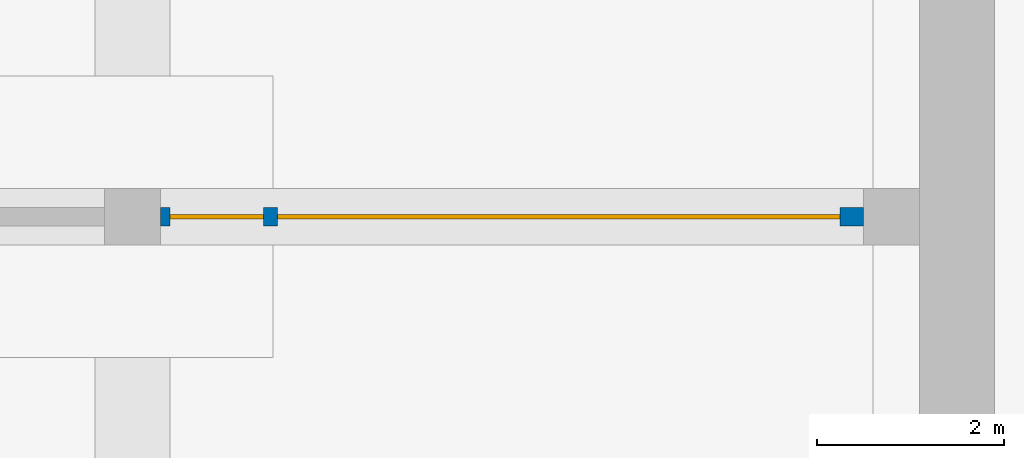
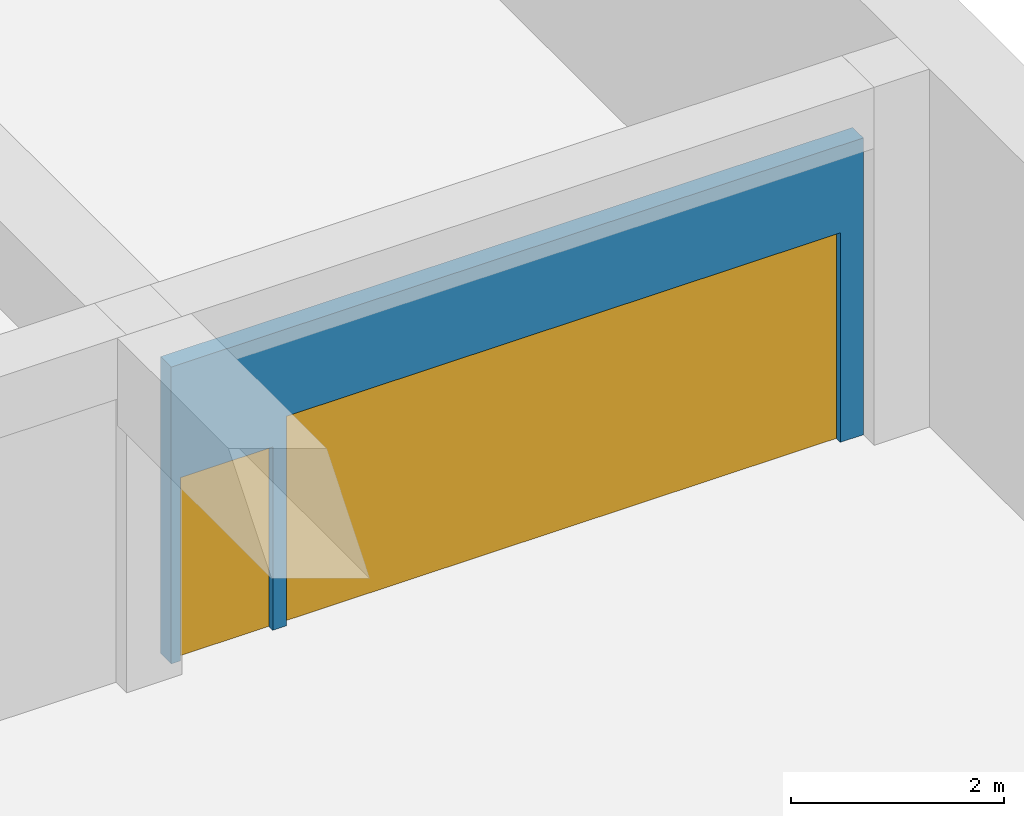
# One storey, part 8 of 25: 2 doors, 1 wall, 2 openings.
"""IFC4 building model written with IfcOpenShell, lengths in metres."""

from ifc_helpers import new_model, si_unit, direction, frame, frame_2d, origin, place, context, subcontext, project, spatial, rectangle, extrude, material, layer, layer_set, type_object, element, fill, save


model = new_model("IFC4")

# Units and contexts
model_context = context("Model", 3, precision=1e-05, world=origin(), true_north=direction((0.0, 1.0)))
body_context = subcontext(model_context, "Body", "Model", "MODEL_VIEW")
ifc_project = project(units=[si_unit("LENGTHUNIT", "METRE"), si_unit("AREAUNIT", "SQUARE_METRE"), si_unit("VOLUMEUNIT", "CUBIC_METRE"), si_unit("PLANEANGLEUNIT", "RADIAN"), si_unit("MASSUNIT", "GRAM", prefix="KILO")], contexts=[model_context])

# Site, building, storey
site_placement = place(None, origin())
site = spatial("IfcSite", under=ifc_project, at=site_placement, CompositionType="ELEMENT")
building_placement = place(site_placement, origin())
building = spatial("IfcBuilding", under=site, at=building_placement, Name="Stone Belt Terrace Tower", CompositionType="ELEMENT")
storey_placement = place(building_placement, frame((0.0, 0.0, -13.5)))
storey = spatial("IfcBuildingStorey", under=building, at=storey_placement, Name="B3", CompositionType="ELEMENT", Elevation=-13.5)

# Wall, openings, doors
ifc_material_1 = material(Name="Concrete B30", Category="concrete")
ifc_layer = layer(ifc_material_1, 0.199951171875)
ifc_layer_set = layer_set([ifc_layer], Name="Compartment wall 200")
wall_type = type_object("IfcWallType", Name="Compartment wall 200", PredefinedType="SOLIDWALL", material=ifc_layer_set)
wall_placement = place(storey_placement, frame((24.60009765625, -18.0, 0.0), z_axis=(0.0, 0.0, 1.0), x_axis=(1.0, 0.0, 0.0)))
wall = element("IfcWall", 1, at=wall_placement, inside=storey, type_object=wall_type, Name="Compartment wall B3 8", PredefinedType="SOLIDWALL", context=body_context, shape_type="SweptSolid", body=[
    extrude(rectangle(XDim=7.5, YDim=0.199951171875, at=frame_2d((3.75, 0.0))), origin(), (0.0, 0.0, 1.0), 3.39990234375),
])
opening_1_placement = place(wall_placement, frame((1.25, 0.0, 0.0)))
opening_1 = element("IfcOpeningElement", 2, at=opening_1_placement, cuts=wall, Name="Opening B3-S03", PredefinedType="OPENING", context=body_context, shape_type="SweptSolid", body=[
    extrude(rectangle(XDim=6.0, YDim=2.39990234375, at=frame_2d((3.0, 1.199951171875))), frame((0.0, 0.10986328125, 0.0), z_axis=(0.0, -1.0, 0.0), x_axis=(1.0, 0.0, 0.0)), (0.0, 0.0, 1.0), 0.219970703125),
])
opening_2_placement = place(wall_placement, frame((0.10009765625, 0.0, 0.0)))
opening_2 = element("IfcOpeningElement", 3, at=opening_2_placement, cuts=wall, Name="Opening B3-S04", PredefinedType="OPENING", context=body_context, shape_type="SweptSolid", body=[
    extrude(rectangle(XDim=1.0, YDim=2.10009765625, at=frame_2d((0.5, 1.050048828125))), frame((0.0, 0.10986328125, 0.0), z_axis=(0.0, -1.0, 0.0), x_axis=(1.0, 0.0, 0.0)), (0.0, 0.0, 1.0), 0.219970703125),
])
ifc_material_2 = material(Name="Steel door leaf", Category="steel")
door_type_1 = type_object("IfcDoorType", Name="Compartment fire door 1000", OperationType="NOTDEFINED", PredefinedType="DOOR", material=ifc_material_2)
door_1_placement = place(opening_2_placement, origin())
door_1 = element("IfcDoor", 4, at=door_1_placement, inside=storey, type_object=door_type_1, Name="Compartment fire door B3 east", OperationType="SINGLE_SWING_RIGHT", OverallHeight=2.10009765625, OverallWidth=1.0, PredefinedType="DOOR", context=body_context, shape_type="SweptSolid", body=[
    extrude(rectangle(XDim=1.0, YDim=2.10009765625, at=frame_2d((0.5, 1.050048828125))), frame((0.0, 0.02490234375, 0.0), z_axis=(0.0, -1.0, 0.0), x_axis=(1.0, 0.0, 0.0)), (0.0, 0.0, 1.0), 0.050048828125),
])
fill(opening_2, door_1)
ifc_material_3 = material(Name="Steel fire shutter", Category="steel")
door_type_2 = type_object("IfcDoorType", Name="Compartment shutter 6000", OperationType="ROLLINGUP", PredefinedType="DOOR", material=ifc_material_3)
door_2_placement = place(opening_1_placement, origin())
door_2 = element("IfcDoor", 5, at=door_2_placement, inside=storey, type_object=door_type_2, Name="Compartment shutter B3 east", OperationType="ROLLINGUP", OverallHeight=2.39990234375, OverallWidth=6.0, PredefinedType="DOOR", context=body_context, shape_type="SweptSolid", body=[
    extrude(rectangle(XDim=6.0, YDim=2.39990234375, at=frame_2d((3.0, 1.199951171875))), frame((0.0, 0.02490234375, 0.0), z_axis=(0.0, -1.0, 0.0), x_axis=(1.0, 0.0, 0.0)), (0.0, 0.0, 1.0), 0.050048828125),
])
fill(opening_1, door_2)

save(model, "model.ifc")
